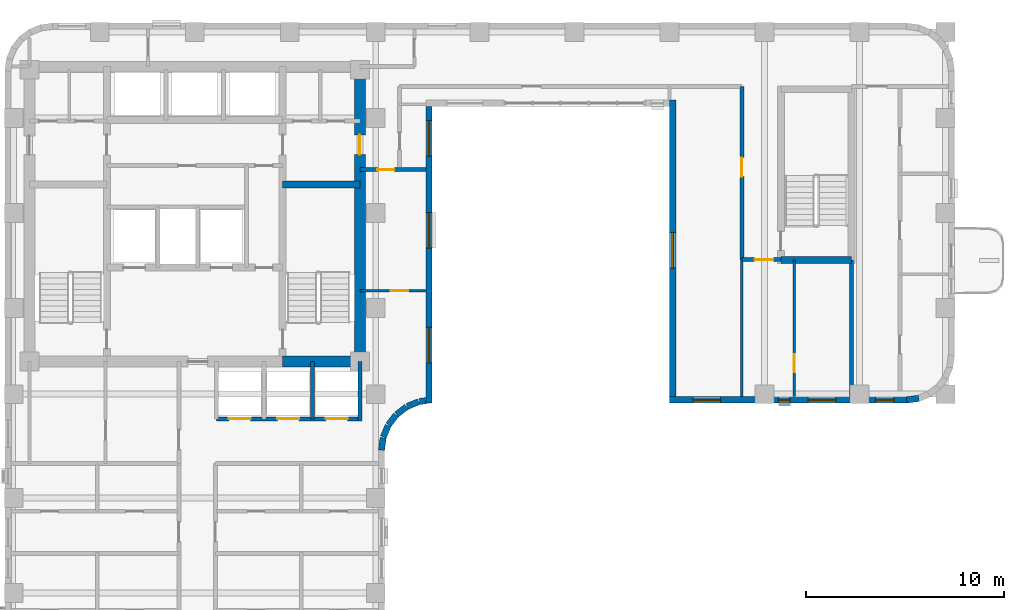
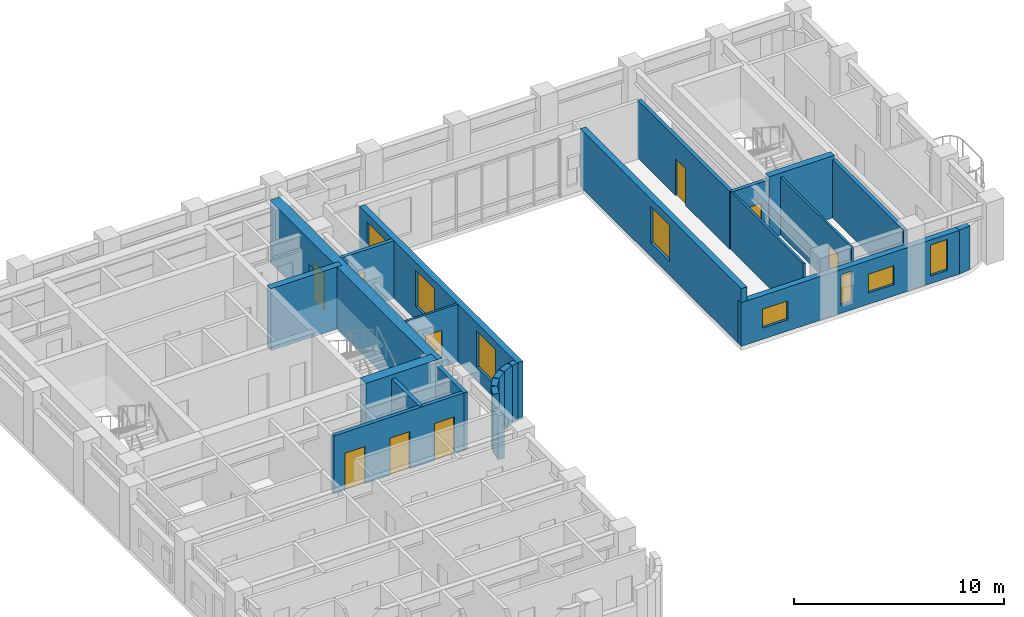
# One storey, part 6 of 11: 24 walls, 9 doors, 8 windows, 17 openings.
"""IFC4 building model written with IfcOpenShell, lengths in metres."""

from ifc_helpers import new_model, si_unit, direction, frame, frame_2d, origin, place, context, subcontext, project, spatial, rectangle, extrude, material, layer, layer_set, type_object, element, fill, save


model = new_model("IFC4")

# Units and contexts
model_context = context("Model", 3, precision=1e-05, world=origin(), true_north=direction((0.0, 1.0)))
body_context = subcontext(model_context, "Body", "Model", "MODEL_VIEW")
ifc_project = project(units=[si_unit("LENGTHUNIT", "METRE"), si_unit("AREAUNIT", "SQUARE_METRE"), si_unit("VOLUMEUNIT", "CUBIC_METRE"), si_unit("PLANEANGLEUNIT", "RADIAN"), si_unit("MASSUNIT", "GRAM", prefix="KILO")], contexts=[model_context])

# Site, building, storey
site_placement = place(None, origin())
site = spatial("IfcSite", under=ifc_project, at=site_placement, CompositionType="ELEMENT")
building_placement = place(site_placement, origin())
building = spatial("IfcBuilding", under=site, at=building_placement, Name="Orvandelia Arch Residences", CompositionType="ELEMENT")
storey_placement = place(building_placement, frame((0.0, 0.0, 168.39990234375)))
storey = spatial("IfcBuildingStorey", under=building, at=storey_placement, Name="L44", CompositionType="ELEMENT", Elevation=168.39990234375)

# Walls
ifc_material_1 = material(Name="Concrete C50/60", Category="concrete")
ifc_layer_1 = layer(ifc_material_1, 0.35009765625, Name="Concrete C50/60", Category="concrete")
ifc_layer_set_1 = layer_set([ifc_layer_1], Name="Concrete C50/60")
wall_type_1 = type_object("IfcWallType", Name="WL-CORE-350", PredefinedType="SHEAR", material=ifc_layer_set_1)
wall_1_placement = place(storey_placement, frame((18.840087890625, 39.85009765625, 0.0), z_axis=(0.0, 0.0, 1.0), x_axis=(1.0, 0.0, 0.0)))
element("IfcWall", 1, at=wall_1_placement, inside=storey, type_object=wall_type_1, Name="Core Shear Wall L44-HZ2", PredefinedType="SHEAR", context=body_context, shape_type="SweptSolid", body=[
    extrude(rectangle(XDim=3.909912109375, YDim=0.35009765625, at=frame_2d((1.955078125, 0.0))), origin(), (0.0, 0.0, 1.0), 3.60009765625),
])
wall_2_placement = place(storey_placement, frame((44.02001953125, 36.0400390625, 0.0), z_axis=(0.0, 0.0, 1.0), x_axis=(1.0, 0.0, 0.0)))
element("IfcWall", 2, at=wall_2_placement, inside=storey, type_object=wall_type_1, Name="East Stair Core Shear Wall L44-S", PredefinedType="SHEAR", context=body_context, shape_type="SweptSolid", body=[
    extrude(rectangle(XDim=3.580078125, YDim=0.35009765625, at=frame_2d((1.7900390625, 0.0))), origin(), (0.0, 0.0, 1.0), 3.60009765625),
])

# Wall, opening, door
ifc_material_2 = material(Name="Concrete C60/75", Category="concrete")
ifc_layer_2 = layer(ifc_material_2, 0.550048828125, Name="Concrete C60/75", Category="concrete")
ifc_layer_set_2 = layer_set([ifc_layer_2], Name="Concrete C60/75")
wall_type_2 = type_object("IfcWallType", Name="WL-CORE-550", PredefinedType="SHEAR", material=ifc_layer_set_2)
wall_3_placement = place(storey_placement, frame((22.75, 30.625, 0.0), z_axis=(0.0, 0.0, 1.0), x_axis=(0.0, 1.0, 0.0)))
wall_3 = element("IfcWall", 3, at=wall_3_placement, inside=storey, type_object=wall_type_2, Name="Core Shear Wall L44-E", PredefinedType="SHEAR", context=body_context, shape_type="SweptSolid", body=[
    extrude(rectangle(XDim=15.449951171875, YDim=0.550048828125, at=frame_2d((7.72509765625, 0.0))), origin(), (0.0, 0.0, 1.0), 3.60009765625),
])
opening_1_placement = place(wall_3_placement, frame((10.72509765625, 0.0, 0.0)))
opening_1 = element("IfcOpeningElement", 4, at=opening_1_placement, cuts=wall_3, Name="Opening D6", PredefinedType="OPENING", context=body_context, shape_type="SweptSolid", body=[
    extrude(rectangle(XDim=1.0, YDim=2.14990234375, at=frame_2d((0.5, 1.074951171875))), frame((0.0, 0.28515625, 0.0), z_axis=(0.0, -1.0, 0.0), x_axis=(1.0, 0.0, 0.0)), (0.0, 0.0, 1.0), 0.570068359375),
])
ifc_material_3 = material(Name="Smokeproof Painted Steel Fire Door", Category="steel")
door_type_1 = type_object("IfcDoorType", Name="DR-FD60-1000", OperationType="NOTDEFINED", PredefinedType="DOOR", material=ifc_material_3)
door_1_placement = place(opening_1_placement, origin())
door_1 = element("IfcDoor", 5, at=door_1_placement, inside=storey, type_object=door_type_1, Name="Core East Corridor Link Door L44", OperationType="SINGLE_SWING_LEFT", OverallHeight=2.14990234375, OverallWidth=1.0, PredefinedType="DOOR", context=body_context, shape_type="SweptSolid", body=[
    extrude(rectangle(XDim=1.0, YDim=2.14990234375, at=frame_2d((0.5, 1.074951171875))), frame((0.0, 0.02490234375, 0.0), z_axis=(0.0, -1.0, 0.0), x_axis=(1.0, 0.0, 0.0)), (0.0, 0.0, 1.0), 0.050048828125),
])
fill(opening_1, door_1)

# Wall
wall_4_placement = place(storey_placement, frame((18.840087890625, 30.89990234375, 0.0), z_axis=(0.0, 0.0, 1.0), x_axis=(1.0, 0.0, 0.0)))
element("IfcWall", 6, at=wall_4_placement, inside=storey, type_object=wall_type_2, Name="Core Shear Wall L44-SE", PredefinedType="SHEAR", context=body_context, shape_type="SweptSolid", body=[
    extrude(rectangle(XDim=3.909912109375, YDim=0.550048828125, at=frame_2d((1.955078125, 0.0))), origin(), (0.0, 0.0, 1.0), 3.60009765625),
])

# Wall, opening, door
ifc_material_4 = material(Name="Fire-Rated Corridor Partition")
ifc_layer_3 = layer(ifc_material_4, 0.199951171875, Name="Fire-Rated Corridor Partition")
ifc_layer_set_3 = layer_set([ifc_layer_3], Name="Fire-Rated Corridor Partition")
wall_type_3 = type_object("IfcWallType", Name="WL-CORR-200", PredefinedType="PARTITIONING", material=ifc_layer_set_3)
wall_5_placement = place(storey_placement, frame((22.75, 40.60009765625, 0.0), z_axis=(0.0, 0.0, 1.0), x_axis=(1.0, 0.0, 0.0)))
wall_5 = element("IfcWall", 7, at=wall_5_placement, inside=storey, type_object=wall_type_3, Name="Interior Partition Wall WL-L44-ENP-LS", PredefinedType="PARTITIONING", context=body_context, shape_type="SweptSolid", body=[
    extrude(rectangle(XDim=3.330078125, YDim=0.199951171875, at=frame_2d((1.6650390625, 0.0))), origin(), (0.0, 0.0, 1.0), 3.360107421875),
])
opening_2_placement = place(wall_5_placement, frame((0.8798828125, 0.0, 0.0)))
opening_2 = element("IfcOpeningElement", 8, at=opening_2_placement, cuts=wall_5, Name="Opening D4", PredefinedType="OPENING", context=body_context, shape_type="SweptSolid", body=[
    extrude(rectangle(XDim=0.860107421875, YDim=2.10009765625, at=frame_2d((0.43017578125, 1.050048828125))), frame((0.0, 0.10986328125, 0.0), z_axis=(0.0, -1.0, 0.0), x_axis=(1.0, 0.0, 0.0)), (0.0, 0.0, 1.0), 0.219970703125),
])
ifc_material_5 = material(Name="Moisture-Sealed Timber Bathroom Door", Category="wood")
door_type_2 = type_object("IfcDoorType", Name="DR-WET-900", OperationType="NOTDEFINED", PredefinedType="DOOR", material=ifc_material_5)
door_2_placement = place(opening_2_placement, origin())
door_2 = element("IfcDoor", 9, at=door_2_placement, inside=storey, type_object=door_type_2, Name="DR-L44-VPWL2", OperationType="SINGLE_SWING_RIGHT", OverallHeight=2.10009765625, OverallWidth=0.860107421875, PredefinedType="DOOR", context=body_context, shape_type="SweptSolid", body=[
    extrude(rectangle(XDim=0.860107421875, YDim=2.10009765625, at=frame_2d((0.43017578125, 1.050048828125))), frame((0.0, 0.02490234375, 0.0), z_axis=(0.0, -1.0, 0.0), x_axis=(1.0, 0.0, 0.0)), (0.0, 0.0, 1.0), 0.050048828125),
])
fill(opening_2, door_2)

wall_6_placement = place(storey_placement, frame((42.050048828125, 36.050048828125, 0.0), z_axis=(0.0, 0.0, 1.0), x_axis=(0.0, 1.0, 0.0)))
wall_6 = element("IfcWall", 10, at=wall_6_placement, inside=storey, type_object=wall_type_3, Name="Interior Partition Wall WL-L44-ENP-SW", PredefinedType="PARTITIONING", context=body_context, shape_type="SweptSolid", body=[
    extrude(rectangle(XDim=8.75, YDim=0.199951171875, at=frame_2d((4.375, 0.0))), origin(), (0.0, 0.0, 1.0), 3.360107421875),
])
opening_3_placement = place(wall_6_placement, frame((4.199951171875, 0.0, 0.0)))
opening_3 = element("IfcOpeningElement", 11, at=opening_3_placement, cuts=wall_6, Name="Opening D2", PredefinedType="OPENING", context=body_context, shape_type="SweptSolid", body=[
    extrude(rectangle(XDim=0.949951171875, YDim=2.14990234375, at=frame_2d((0.47509765625, 1.074951171875))), frame((0.0, 0.10986328125, 0.0), z_axis=(0.0, -1.0, 0.0), x_axis=(1.0, 0.0, 0.0)), (0.0, 0.0, 1.0), 0.219970703125),
])
ifc_material_6 = material(Name="Solid-Core Timber Interior Fire Door", Category="wood")
door_type_3 = type_object("IfcDoorType", Name="DR-APT-950", OperationType="NOTDEFINED", PredefinedType="DOOR", material=ifc_material_6)
door_3_placement = place(opening_3_placement, origin())
door_3 = element("IfcDoor", 12, at=door_3_placement, inside=storey, type_object=door_type_3, Name="DR-L44-VPE1", OperationType="SINGLE_SWING_LEFT", OverallHeight=2.14990234375, OverallWidth=0.949951171875, PredefinedType="DOOR", context=body_context, shape_type="SweptSolid", body=[
    extrude(rectangle(XDim=0.949951171875, YDim=2.14990234375, at=frame_2d((0.47509765625, 1.074951171875))), frame((0.0, 0.02490234375, 0.0), z_axis=(0.0, -1.0, 0.0), x_axis=(1.0, 0.0, 0.0)), (0.0, 0.0, 1.0), 0.050048828125),
])
fill(opening_3, door_3)

wall_7_placement = place(storey_placement, frame((42.050048828125, 36.050048828125, 0.0), z_axis=(0.0, 0.0, 1.0), x_axis=(1.0, 0.0, 0.0)))
wall_7 = element("IfcWall", 13, at=wall_7_placement, inside=storey, type_object=wall_type_3, Name="Interior Partition Wall WL-L44-ENP-SS", PredefinedType="PARTITIONING", context=body_context, shape_type="SweptSolid", body=[
    extrude(rectangle(XDim=1.969970703125, YDim=0.199951171875, at=frame_2d((0.98486328125, 0.0))), origin(), (0.0, 0.0, 1.0), 3.360107421875),
])
opening_4_placement = place(wall_7_placement, frame((0.64990234375, 0.0, 0.0)))
opening_4 = element("IfcOpeningElement", 14, at=opening_4_placement, cuts=wall_7, Name="Opening D2", PredefinedType="OPENING", context=body_context, shape_type="SweptSolid", body=[
    extrude(rectangle(XDim=0.949951171875, YDim=2.14990234375, at=frame_2d((0.47509765625, 1.074951171875))), frame((0.0, 0.10986328125, 0.0), z_axis=(0.0, -1.0, 0.0), x_axis=(1.0, 0.0, 0.0)), (0.0, 0.0, 1.0), 0.219970703125),
])
door_4_placement = place(opening_4_placement, origin())
door_4 = element("IfcDoor", 15, at=door_4_placement, inside=storey, type_object=door_type_3, Name="DR-L44-VPS3A", OperationType="SINGLE_SWING_LEFT", OverallHeight=2.14990234375, OverallWidth=0.949951171875, PredefinedType="DOOR", context=body_context, shape_type="SweptSolid", body=[
    extrude(rectangle(XDim=0.949951171875, YDim=2.14990234375, at=frame_2d((0.47509765625, 1.074951171875))), frame((0.0, 0.02490234375, 0.0), z_axis=(0.0, -1.0, 0.0), x_axis=(1.0, 0.0, 0.0)), (0.0, 0.0, 1.0), 0.050048828125),
])
fill(opening_4, door_4)

# Walls
ifc_material_7 = material(Name="Concrete C40/50", Category="concrete")
ifc_layer_4 = layer(ifc_material_7, 0.199951171875, Name="Concrete C40/50", Category="concrete")
ifc_layer_set_4 = layer_set([ifc_layer_4], Name="Concrete C40/50")
wall_type_4 = type_object("IfcWallType", Name="WL-DEM-200", PredefinedType="SOLIDWALL", material=ifc_layer_set_4)
wall_8_placement = place(storey_placement, frame((47.60009765625, 29.1201171875, 0.0), z_axis=(0.0, 0.0, 1.0), x_axis=(0.0, 1.0, 0.0)))
element("IfcWall", 16, at=wall_8_placement, inside=storey, type_object=wall_type_4, Name="Interior Partition Wall WL-L44-VPS3-E", PredefinedType="SOLIDWALL", context=body_context, shape_type="SweptSolid", body=[
    extrude(rectangle(XDim=6.919921875, YDim=0.199951171875, at=frame_2d((3.4599609375, 0.0))), origin(), (0.0, 0.0, 1.0), 3.360107421875),
])
ifc_material_8 = material(Name="Precast concrete C40/50", Category="concrete")
ifc_layer_5 = layer(ifc_material_8, 0.320068359375, Name="Precast concrete C40/50", Category="concrete")
ifc_layer_set_5 = layer_set([ifc_layer_5], Name="Precast concrete C40/50")
wall_type_5 = type_object("IfcWallType", Name="WL-EXT-STONE-320", PredefinedType="STANDARD", material=ifc_layer_set_5)
wall_9_placement = place(storey_placement, frame((51.000244140625, 29.040283203125, 0.0), z_axis=(0.0, 0.0, 1.0), x_axis=(-0.9914410257, -0.130555323746, 0.0)))
element("IfcWall", 17, at=wall_9_placement, inside=storey, type_object=wall_type_5, Name="Coral-Limestone Precast Facade Wall L44-020", PredefinedType="STANDARD", context=body_context, shape_type="SweptSolid", body=[
    extrude(rectangle(XDim=0.62646484375, YDim=0.320068359375, at=frame_2d((0.313232421875, 0.0))), origin(), (0.0, 0.0, 1.0), 2.5400390625),
])

# Wall, openings, windows
wall_10_placement = place(storey_placement, frame((50.39990234375, 28.9599609375, 0.0), z_axis=(0.0, 0.0, 1.0), x_axis=(-1.0, 0.0, 0.0)))
wall_10 = element("IfcWall", 18, at=wall_10_placement, inside=storey, type_object=wall_type_5, Name="Coral-Limestone Precast Facade Wall L44-021", PredefinedType="STANDARD", context=body_context, shape_type="SweptSolid", body=[
    extrude(rectangle(XDim=12.0, YDim=0.320068359375, at=frame_2d((6.0, 0.0))), origin(), (0.0, 0.0, 1.0), 2.5400390625),
])
opening_5_placement = place(wall_10_placement, frame((0.656005859375, 0.0, 0.449951171875)))
opening_5 = element("IfcOpeningElement", 19, at=opening_5_placement, cuts=wall_10, Name="Opening W4", PredefinedType="OPENING", context=body_context, shape_type="SweptSolid", body=[
    extrude(rectangle(XDim=0.949951171875, YDim=1.800048828125, at=frame_2d((0.47509765625, 0.89990234375))), frame((0.0, 0.169921875, 0.0), z_axis=(0.0, -1.0, 0.0), x_axis=(1.0, 0.0, 0.0)), (0.0, 0.0, 1.0), 0.340087890625),
])
opening_6_placement = place(wall_10_placement, frame((9.425048828125, 0.0, 0.64990234375)))
opening_6 = element("IfcOpeningElement", 20, at=opening_6_placement, cuts=wall_10, Name="Opening W10", PredefinedType="OPENING", context=body_context, shape_type="SweptSolid", body=[
    extrude(rectangle(XDim=1.39990234375, YDim=1.10009765625, at=frame_2d((0.699951171875, 0.550048828125))), frame((0.0, 0.169921875, 0.0), z_axis=(0.0, -1.0, 0.0), x_axis=(1.0, 0.0, 0.0)), (0.0, 0.0, 1.0), 0.340087890625),
])
opening_7_placement = place(wall_10_placement, frame((5.902587890625, 0.0, 0.449951171875)))
opening_7 = element("IfcOpeningElement", 21, at=opening_7_placement, cuts=wall_10, Name="Opening W12", PredefinedType="OPENING", context=body_context, shape_type="SweptSolid", body=[
    extrude(rectangle(XDim=0.60009765625, YDim=1.800048828125, at=frame_2d((0.300048828125, 0.89990234375))), frame((0.0, 0.169921875, 0.0), z_axis=(0.0, -1.0, 0.0), x_axis=(1.0, 0.0, 0.0)), (0.0, 0.0, 1.0), 0.340087890625),
])
opening_8_placement = place(wall_10_placement, frame((3.597412109375, 0.0, 0.64990234375)))
opening_8 = element("IfcOpeningElement", 22, at=opening_8_placement, cuts=wall_10, Name="Opening W10", PredefinedType="OPENING", context=body_context, shape_type="SweptSolid", body=[
    extrude(rectangle(XDim=1.39990234375, YDim=1.10009765625, at=frame_2d((0.699951171875, 0.550048828125))), frame((0.0, 0.169921875, 0.0), z_axis=(0.0, -1.0, 0.0), x_axis=(1.0, 0.0, 0.0)), (0.0, 0.0, 1.0), 0.340087890625),
])
ifc_material_9 = material(Name="Tempered Low-E Insulated Glazing", Category="glass")
window_type_1 = type_object("IfcWindowType", Name="WIN-CLR-1400x1100", PartitioningType="SINGLE_PANEL", PredefinedType="WINDOW", material=ifc_material_9)
window_1_placement = place(opening_6_placement, origin())
window_1 = element("IfcWindow", 23, at=window_1_placement, inside=storey, type_object=window_type_1, Name="Recessed Punched Window L44-008", OverallHeight=1.10009765625, OverallWidth=1.39990234375, PartitioningType="SINGLE_PANEL", PredefinedType="WINDOW", context=body_context, shape_type="SweptSolid", body=[
    extrude(rectangle(XDim=1.39990234375, YDim=1.10009765625, at=frame_2d((0.699951171875, 0.550048828125))), frame((0.0, 0.030029296875, 0.0), z_axis=(0.0, -1.0, 0.0), x_axis=(1.0, 0.0, 0.0)), (0.0, 0.0, 1.0), 0.06005859375),
])
fill(opening_6, window_1)
window_2_placement = place(opening_8_placement, origin())
window_2 = element("IfcWindow", 24, at=window_2_placement, inside=storey, type_object=window_type_1, Name="Recessed Punched Window L44-010", OverallHeight=1.10009765625, OverallWidth=1.39990234375, PartitioningType="SINGLE_PANEL", PredefinedType="WINDOW", context=body_context, shape_type="SweptSolid", body=[
    extrude(rectangle(XDim=1.39990234375, YDim=1.10009765625, at=frame_2d((0.699951171875, 0.550048828125))), frame((0.0, 0.030029296875, 0.0), z_axis=(0.0, -1.0, 0.0), x_axis=(1.0, 0.0, 0.0)), (0.0, 0.0, 1.0), 0.06005859375),
])
fill(opening_8, window_2)
window_type_2 = type_object("IfcWindowType", Name="WIN-LAN-0600x1800", PartitioningType="SINGLE_PANEL", PredefinedType="WINDOW", material=ifc_material_9)
window_3_placement = place(opening_7_placement, origin())
window_3 = element("IfcWindow", 25, at=window_3_placement, inside=storey, type_object=window_type_2, Name="Recessed Punched Window L44-009", OverallHeight=1.800048828125, OverallWidth=0.60009765625, PartitioningType="SINGLE_PANEL", PredefinedType="WINDOW", context=body_context, shape_type="SweptSolid", body=[
    extrude(rectangle(XDim=0.60009765625, YDim=1.800048828125, at=frame_2d((0.300048828125, 0.89990234375))), frame((0.0, 0.030029296875, 0.0), z_axis=(0.0, -1.0, 0.0), x_axis=(1.0, 0.0, 0.0)), (0.0, 0.0, 1.0), 0.06005859375),
])
fill(opening_7, window_3)
window_type_3 = type_object("IfcWindowType", Name="WIN-RES-0950x1800", PartitioningType="SINGLE_PANEL", PredefinedType="WINDOW", material=ifc_material_9)
window_4_placement = place(opening_5_placement, origin())
window_4 = element("IfcWindow", 26, at=window_4_placement, inside=storey, type_object=window_type_3, Name="Recessed Punched Window L44-007", OverallHeight=1.800048828125, OverallWidth=0.949951171875, PartitioningType="SINGLE_PANEL", PredefinedType="WINDOW", context=body_context, shape_type="SweptSolid", body=[
    extrude(rectangle(XDim=0.949951171875, YDim=1.800048828125, at=frame_2d((0.47509765625, 0.89990234375))), frame((0.0, 0.030029296875, 0.0), z_axis=(0.0, -1.0, 0.0), x_axis=(1.0, 0.0, 0.0)), (0.0, 0.0, 1.0), 0.06005859375),
])
fill(opening_5, window_4)

# Wall, opening, window
wall_11_placement = place(storey_placement, frame((38.56005859375, 28.800048828125, 0.0), z_axis=(0.0, 0.0, 1.0), x_axis=(0.0, 1.0, 0.0)))
wall_11 = element("IfcWall", 27, at=wall_11_placement, inside=storey, type_object=wall_type_5, Name="Coral-Limestone Precast Facade Wall L44-022", PredefinedType="STANDARD", context=body_context, shape_type="SweptSolid", body=[
    extrude(rectangle(XDim=15.320068359375, YDim=0.320068359375, at=frame_2d((7.66015625, 0.0))), origin(), (0.0, 0.0, 1.0), 3.360107421875),
])
opening_9_placement = place(wall_11_placement, frame((6.820068359375, 0.0, 0.800048828125)))
opening_9 = element("IfcOpeningElement", 28, at=opening_9_placement, cuts=wall_11, Name="Opening W1", PredefinedType="OPENING", context=body_context, shape_type="SweptSolid", body=[
    extrude(rectangle(XDim=1.800048828125, YDim=2.10009765625, at=frame_2d((0.89990234375, 1.050048828125))), frame((0.0, 0.169921875, 0.0), z_axis=(0.0, -1.0, 0.0), x_axis=(1.0, 0.0, 0.0)), (0.0, 0.0, 1.0), 0.340087890625),
])
window_type_4 = type_object("IfcWindowType", Name="WIN-RES-1800x2100", PartitioningType="SINGLE_PANEL", PredefinedType="WINDOW", material=ifc_material_9)
window_5_placement = place(opening_9_placement, origin())
window_5 = element("IfcWindow", 29, at=window_5_placement, inside=storey, type_object=window_type_4, Name="Recessed Punched Window L44-011", OverallHeight=2.10009765625, OverallWidth=1.800048828125, PartitioningType="SINGLE_PANEL", PredefinedType="WINDOW", context=body_context, shape_type="SweptSolid", body=[
    extrude(rectangle(XDim=1.800048828125, YDim=2.10009765625, at=frame_2d((0.89990234375, 1.050048828125))), frame((0.0, 0.030029296875, 0.0), z_axis=(0.0, -1.0, 0.0), x_axis=(1.0, 0.0, 0.0)), (0.0, 0.0, 1.0), 0.06005859375),
])
fill(opening_9, window_5)

# Wall, openings, windows
wall_12_placement = place(storey_placement, frame((26.239990234375, 43.800048828125, 0.0), z_axis=(0.0, 0.0, 1.0), x_axis=(0.0, -1.0, 0.0)))
wall_12 = element("IfcWall", 30, at=wall_12_placement, inside=storey, type_object=wall_type_5, Name="Coral-Limestone Precast Facade Wall L44-025", PredefinedType="STANDARD", context=body_context, shape_type="SweptSolid", body=[
    extrude(rectangle(XDim=15.0, YDim=0.320068359375, at=frame_2d((7.5, 0.0))), origin(), (0.0, 0.0, 1.0), 3.360107421875),
])
opening_10_placement = place(wall_12_placement, frame((11.169921875, 0.0, 0.800048828125)))
opening_10 = element("IfcOpeningElement", 31, at=opening_10_placement, cuts=wall_12, Name="Opening W1", PredefinedType="OPENING", context=body_context, shape_type="SweptSolid", body=[
    extrude(rectangle(XDim=1.800048828125, YDim=2.10009765625, at=frame_2d((0.89990234375, 1.050048828125))), frame((0.0, 0.169921875, 0.0), z_axis=(0.0, -1.0, 0.0), x_axis=(1.0, 0.0, 0.0)), (0.0, 0.0, 1.0), 0.340087890625),
])
opening_11_placement = place(wall_12_placement, frame((5.3701171875, 0.0, 0.800048828125)))
opening_11 = element("IfcOpeningElement", 32, at=opening_11_placement, cuts=wall_12, Name="Opening W1", PredefinedType="OPENING", context=body_context, shape_type="SweptSolid", body=[
    extrude(rectangle(XDim=1.800048828125, YDim=2.10009765625, at=frame_2d((0.89990234375, 1.050048828125))), frame((0.0, 0.169921875, 0.0), z_axis=(0.0, -1.0, 0.0), x_axis=(1.0, 0.0, 0.0)), (0.0, 0.0, 1.0), 0.340087890625),
])
opening_12_placement = place(wall_12_placement, frame((0.719970703125, 0.0, 0.800048828125)))
opening_12 = element("IfcOpeningElement", 33, at=opening_12_placement, cuts=wall_12, Name="Opening W1", PredefinedType="OPENING", context=body_context, shape_type="SweptSolid", body=[
    extrude(rectangle(XDim=1.800048828125, YDim=2.10009765625, at=frame_2d((0.89990234375, 1.050048828125))), frame((0.0, 0.169921875, 0.0), z_axis=(0.0, -1.0, 0.0), x_axis=(1.0, 0.0, 0.0)), (0.0, 0.0, 1.0), 0.340087890625),
])
window_6_placement = place(opening_10_placement, origin())
window_6 = element("IfcWindow", 34, at=window_6_placement, inside=storey, type_object=window_type_4, Name="Recessed Punched Window L44-014", OverallHeight=2.10009765625, OverallWidth=1.800048828125, PartitioningType="SINGLE_PANEL", PredefinedType="WINDOW", context=body_context, shape_type="SweptSolid", body=[
    extrude(rectangle(XDim=1.800048828125, YDim=2.10009765625, at=frame_2d((0.89990234375, 1.050048828125))), frame((0.0, 0.030029296875, 0.0), z_axis=(0.0, -1.0, 0.0), x_axis=(1.0, 0.0, 0.0)), (0.0, 0.0, 1.0), 0.06005859375),
])
fill(opening_10, window_6)
window_7_placement = place(opening_11_placement, origin())
window_7 = element("IfcWindow", 35, at=window_7_placement, inside=storey, type_object=window_type_4, Name="Recessed Punched Window L44-015", OverallHeight=2.10009765625, OverallWidth=1.800048828125, PartitioningType="SINGLE_PANEL", PredefinedType="WINDOW", context=body_context, shape_type="SweptSolid", body=[
    extrude(rectangle(XDim=1.800048828125, YDim=2.10009765625, at=frame_2d((0.89990234375, 1.050048828125))), frame((0.0, 0.030029296875, 0.0), z_axis=(0.0, -1.0, 0.0), x_axis=(1.0, 0.0, 0.0)), (0.0, 0.0, 1.0), 0.06005859375),
])
fill(opening_11, window_7)
window_8_placement = place(opening_12_placement, origin())
window_8 = element("IfcWindow", 36, at=window_8_placement, inside=storey, type_object=window_type_4, Name="Recessed Punched Window L44-016", OverallHeight=2.10009765625, OverallWidth=1.800048828125, PartitioningType="SINGLE_PANEL", PredefinedType="WINDOW", context=body_context, shape_type="SweptSolid", body=[
    extrude(rectangle(XDim=1.800048828125, YDim=2.10009765625, at=frame_2d((0.89990234375, 1.050048828125))), frame((0.0, 0.030029296875, 0.0), z_axis=(0.0, -1.0, 0.0), x_axis=(1.0, 0.0, 0.0)), (0.0, 0.0, 1.0), 0.06005859375),
])
fill(opening_12, window_8)

# Walls
wall_13_placement = place(storey_placement, frame((26.081787109375, 28.91943359375, 0.0), z_axis=(0.0, 0.0, 1.0), x_axis=(-0.991512688813, -0.130009953168, 0.0)))
element("IfcWall", 37, at=wall_13_placement, inside=storey, type_object=wall_type_5, Name="Coral-Limestone Precast Facade Wall L44-026", PredefinedType="STANDARD", context=body_context, shape_type="SweptSolid", body=[
    extrude(rectangle(XDim=0.32666015625, YDim=0.320068359375, at=frame_2d((0.163330078125, 0.0))), origin(), (0.0, 0.0, 1.0), 3.360107421875),
])
wall_14_placement = place(storey_placement, frame((25.717529296875, 28.865966796875, 0.0), z_axis=(0.0, 0.0, 1.0), x_axis=(-0.923836271867, -0.382787856107, 0.0)))
element("IfcWall", 38, at=wall_14_placement, inside=storey, type_object=wall_type_5, Name="Coral-Limestone Precast Facade Wall L44-027", PredefinedType="STANDARD", context=body_context, shape_type="SweptSolid", body=[
    extrude(rectangle(XDim=0.626220703125, YDim=0.320068359375, at=frame_2d((0.31298828125, 0.0))), origin(), (0.0, 0.0, 1.0), 3.360107421875),
])
for number, where, z_axis, x_axis, name in (
    (39, (25.1025390625, 28.60546875, 0.0), (0.0, 0.0, 1.0), (-0.793405610854, -0.608693302629, 0.0), "Coral-Limestone Precast Facade Wall L44-028"),
    (40, (24.575927734375, 28.194580078125, 0.0), (0.0, 0.0, 1.0), (-0.608693302629, -0.793405610854, 0.0), "Coral-Limestone Precast Facade Wall L44-029"),
):
    element("IfcWall", number, at=place(storey_placement, frame(where, z_axis=z_axis, x_axis=x_axis)), inside=storey, type_object=wall_type_5, Name=name, PredefinedType="STANDARD", context=body_context, shape_type="SweptSolid", body=[
        extrude(rectangle(XDim=0.62646484375, YDim=0.320068359375, at=frame_2d((0.313232421875, 0.0))), origin(), (0.0, 0.0, 1.0), 3.360107421875),
    ])
wall_15_placement = place(storey_placement, frame((24.173583984375, 27.6611328125, 0.0), z_axis=(0.0, 0.0, 1.0), x_axis=(-0.382455093999, -0.923974080304, 0.0)))
element("IfcWall", 41, at=wall_15_placement, inside=storey, type_object=wall_type_5, Name="Coral-Limestone Precast Facade Wall L44-030", PredefinedType="STANDARD", context=body_context, shape_type="SweptSolid", body=[
    extrude(rectangle(XDim=0.626220703125, YDim=0.320068359375, at=frame_2d((0.31298828125, 0.0))), origin(), (0.0, 0.0, 1.0), 3.360107421875),
])
wall_16_placement = place(storey_placement, frame((23.923095703125, 27.0419921875, 0.0), z_axis=(0.0, 0.0, 1.0), x_axis=(-0.130555323746, -0.9914410257, 0.0)))
element("IfcWall", 42, at=wall_16_placement, inside=storey, type_object=wall_type_5, Name="Coral-Limestone Precast Facade Wall L44-031", PredefinedType="STANDARD", context=body_context, shape_type="SweptSolid", body=[
    extrude(rectangle(XDim=0.62646484375, YDim=0.320068359375, at=frame_2d((0.313232421875, 0.0))), origin(), (0.0, 0.0, 1.0), 2.5400390625),
])

# Wall, opening, door
ifc_material_10 = material(Name="Lightweight Gypsum Stud Partition")
ifc_layer_6 = layer(ifc_material_10, 0.1201171875, Name="Lightweight Gypsum Stud Partition")
ifc_layer_set_6 = layer_set([ifc_layer_6], Name="Lightweight Gypsum Stud Partition")
wall_type_6 = type_object("IfcWallType", Name="WL-PART-120", PredefinedType="PARTITIONING", material=ifc_layer_set_6)
wall_17_placement = place(storey_placement, frame((22.75, 34.47998046875, 0.0), z_axis=(0.0, 0.0, 1.0), x_axis=(1.0, 0.0, 0.0)))
wall_17 = element("IfcWall", 43, at=wall_17_placement, inside=storey, type_object=wall_type_6, Name="Interior Partition Wall WL-L44-VPW-M", PredefinedType="PARTITIONING", context=body_context, shape_type="SweptSolid", body=[
    extrude(rectangle(XDim=3.330078125, YDim=0.1201171875, at=frame_2d((1.6650390625, 0.0))), origin(), (0.0, 0.0, 1.0), 3.360107421875),
])
opening_13_placement = place(wall_17_placement, frame((1.550048828125, 0.0, 0.0)))
opening_13 = element("IfcOpeningElement", 44, at=opening_13_placement, cuts=wall_17, Name="Opening D3", PredefinedType="OPENING", context=body_context, shape_type="SweptSolid", body=[
    extrude(rectangle(XDim=0.89990234375, YDim=2.14990234375, at=frame_2d((0.449951171875, 1.074951171875))), frame((0.0, 0.070068359375, 0.0), z_axis=(0.0, -1.0, 0.0), x_axis=(1.0, 0.0, 0.0)), (0.0, 0.0, 1.0), 0.14013671875),
])
ifc_material_11 = material(Name="Engineered Timber Flush Door", Category="wood")
door_type_4 = type_object("IfcDoorType", Name="DR-INT-900", OperationType="NOTDEFINED", PredefinedType="DOOR", material=ifc_material_11)
door_5_placement = place(opening_13_placement, origin())
door_5 = element("IfcDoor", 45, at=door_5_placement, inside=storey, type_object=door_type_4, Name="DR-L44-VPWL1", OperationType="SINGLE_SWING_LEFT", OverallHeight=2.14990234375, OverallWidth=0.89990234375, PredefinedType="DOOR", context=body_context, shape_type="SweptSolid", body=[
    extrude(rectangle(XDim=0.89990234375, YDim=2.14990234375, at=frame_2d((0.449951171875, 1.074951171875))), frame((0.0, 0.02490234375, 0.0), z_axis=(0.0, -1.0, 0.0), x_axis=(1.0, 0.0, 0.0)), (0.0, 0.0, 1.0), 0.050048828125),
])
fill(opening_13, door_5)

wall_18_placement = place(storey_placement, frame((44.699951171875, 29.1201171875, 0.0), z_axis=(0.0, 0.0, 1.0), x_axis=(0.0, 1.0, 0.0)))
wall_18 = element("IfcWall", 46, at=wall_18_placement, inside=storey, type_object=wall_type_6, Name="Interior Partition Wall WL-L44-VPS3-M", PredefinedType="PARTITIONING", context=body_context, shape_type="SweptSolid", body=[
    extrude(rectangle(XDim=6.919921875, YDim=0.1201171875, at=frame_2d((3.4599609375, 0.0))), origin(), (0.0, 0.0, 1.0), 3.360107421875),
])
opening_14_placement = place(wall_18_placement, frame((1.239990234375, 0.0, 0.0)))
opening_14 = element("IfcOpeningElement", 47, at=opening_14_placement, cuts=wall_18, Name="Opening D3", PredefinedType="OPENING", context=body_context, shape_type="SweptSolid", body=[
    extrude(rectangle(XDim=0.89990234375, YDim=2.14990234375, at=frame_2d((0.449951171875, 1.074951171875))), frame((0.0, 0.070068359375, 0.0), z_axis=(0.0, -1.0, 0.0), x_axis=(1.0, 0.0, 0.0)), (0.0, 0.0, 1.0), 0.14013671875),
])
door_6_placement = place(opening_14_placement, origin())
door_6 = element("IfcDoor", 48, at=door_6_placement, inside=storey, type_object=door_type_4, Name="DR-L44-VPS3B", OperationType="SINGLE_SWING_RIGHT", OverallHeight=2.14990234375, OverallWidth=0.89990234375, PredefinedType="DOOR", context=body_context, shape_type="SweptSolid", body=[
    extrude(rectangle(XDim=0.89990234375, YDim=2.14990234375, at=frame_2d((0.449951171875, 1.074951171875))), frame((0.0, 0.02490234375, 0.0), z_axis=(0.0, -1.0, 0.0), x_axis=(1.0, 0.0, 0.0)), (0.0, 0.0, 1.0), 0.050048828125),
])
fill(opening_14, door_6)

# Wall
wall_19_placement = place(storey_placement, frame((42.050048828125, 29.1201171875, 0.0), z_axis=(0.0, 0.0, 1.0), x_axis=(0.0, 1.0, 0.0)))
element("IfcWall", 49, at=wall_19_placement, inside=storey, type_object=wall_type_6, Name="Interior Partition Wall WL-L44-VPS3-W", PredefinedType="PARTITIONING", context=body_context, shape_type="SweptSolid", body=[
    extrude(rectangle(XDim=6.929931640625, YDim=0.1201171875, at=frame_2d((3.46484375, 0.0))), origin(), (0.0, 0.0, 1.0), 3.360107421875),
])

# Wall, openings, doors
ifc_material_12 = material(Name="Fire-Rated Shaft Enclosure Wall")
ifc_layer_7 = layer(ifc_material_12, 0.199951171875, Name="Fire-Rated Shaft Enclosure Wall")
ifc_layer_set_7 = layer_set([ifc_layer_7], Name="Fire-Rated Shaft Enclosure Wall")
wall_type_7 = type_object("IfcWallType", Name="WL-SHAFT-200", PredefinedType="POLYGONAL", material=ifc_layer_set_7)
wall_20_placement = place(storey_placement, frame((15.5, 28.0, 0.0), z_axis=(0.0, 0.0, 1.0), x_axis=(1.0, 0.0, 0.0)))
wall_20 = element("IfcWall", 50, at=wall_20_placement, inside=storey, type_object=wall_type_7, Name="Interior Partition Wall WL-L44-BNKM-S", PredefinedType="POLYGONAL", context=body_context, shape_type="SweptSolid", body=[
    extrude(rectangle(XDim=7.25, YDim=0.199951171875, at=frame_2d((3.625, 0.0))), origin(), (0.0, 0.0, 1.0), 3.360107421875),
])
opening_15_placement = place(wall_20_placement, frame((0.625, 0.0, 0.0)))
opening_15 = element("IfcOpeningElement", 51, at=opening_15_placement, cuts=wall_20, Name="Opening LD", PredefinedType="OPENING", context=body_context, shape_type="SweptSolid", body=[
    extrude(rectangle(XDim=1.10009765625, YDim=2.14990234375, at=frame_2d((0.550048828125, 1.074951171875))), frame((0.0, 0.10986328125, 0.0), z_axis=(0.0, -1.0, 0.0), x_axis=(1.0, 0.0, 0.0)), (0.0, 0.0, 1.0), 0.219970703125),
])
opening_16_placement = place(wall_20_placement, frame((3.074951171875, 0.0, 0.0)))
opening_16 = element("IfcOpeningElement", 52, at=opening_16_placement, cuts=wall_20, Name="Opening LD", PredefinedType="OPENING", context=body_context, shape_type="SweptSolid", body=[
    extrude(rectangle(XDim=1.10009765625, YDim=2.14990234375, at=frame_2d((0.550048828125, 1.074951171875))), frame((0.0, 0.10986328125, 0.0), z_axis=(0.0, -1.0, 0.0), x_axis=(1.0, 0.0, 0.0)), (0.0, 0.0, 1.0), 0.219970703125),
])
opening_17_placement = place(wall_20_placement, frame((5.52490234375, 0.0, 0.0)))
opening_17 = element("IfcOpeningElement", 53, at=opening_17_placement, cuts=wall_20, Name="Opening LD", PredefinedType="OPENING", context=body_context, shape_type="SweptSolid", body=[
    extrude(rectangle(XDim=1.10009765625, YDim=2.14990234375, at=frame_2d((0.550048828125, 1.074951171875))), frame((0.0, 0.10986328125, 0.0), z_axis=(0.0, -1.0, 0.0), x_axis=(1.0, 0.0, 0.0)), (0.0, 0.0, 1.0), 0.219970703125),
])
ifc_material_13 = material(Name="Brushed Stainless Steel Sliding Lift Door", Category="steel")
door_type_5 = type_object("IfcDoorType", Name="DR-LIFT-1100", OperationType="NOTDEFINED", PredefinedType="DOOR", material=ifc_material_13)
door_7_placement = place(opening_15_placement, origin())
door_7 = element("IfcDoor", 54, at=door_7_placement, inside=storey, type_object=door_type_5, Name="Lift Landing Door LD-PM1", OperationType="SLIDING_TO_LEFT", OverallHeight=2.14990234375, OverallWidth=1.10009765625, PredefinedType="DOOR", context=body_context, shape_type="SweptSolid", body=[
    extrude(rectangle(XDim=1.10009765625, YDim=2.14990234375, at=frame_2d((0.550048828125, 1.074951171875))), frame((0.0, 0.02490234375, 0.0), z_axis=(0.0, -1.0, 0.0), x_axis=(1.0, 0.0, 0.0)), (0.0, 0.0, 1.0), 0.050048828125),
])
fill(opening_15, door_7)
door_8_placement = place(opening_16_placement, origin())
door_8 = element("IfcDoor", 55, at=door_8_placement, inside=storey, type_object=door_type_5, Name="Lift Landing Door LD-PM2", OperationType="SLIDING_TO_RIGHT", OverallHeight=2.14990234375, OverallWidth=1.10009765625, PredefinedType="DOOR", context=body_context, shape_type="SweptSolid", body=[
    extrude(rectangle(XDim=1.10009765625, YDim=2.14990234375, at=frame_2d((0.550048828125, 1.074951171875))), frame((0.0, 0.02490234375, 0.0), z_axis=(0.0, -1.0, 0.0), x_axis=(1.0, 0.0, 0.0)), (0.0, 0.0, 1.0), 0.050048828125),
])
fill(opening_16, door_8)
door_9_placement = place(opening_17_placement, origin())
door_9 = element("IfcDoor", 56, at=door_9_placement, inside=storey, type_object=door_type_5, Name="Lift Landing Door LD-PM3", OperationType="SLIDING_TO_LEFT", OverallHeight=2.14990234375, OverallWidth=1.10009765625, PredefinedType="DOOR", context=body_context, shape_type="SweptSolid", body=[
    extrude(rectangle(XDim=1.10009765625, YDim=2.14990234375, at=frame_2d((0.550048828125, 1.074951171875))), frame((0.0, 0.02490234375, 0.0), z_axis=(0.0, -1.0, 0.0), x_axis=(1.0, 0.0, 0.0)), (0.0, 0.0, 1.0), 0.050048828125),
])
fill(opening_17, door_9)

# Walls
wall_21_placement = place(storey_placement, frame((22.75, 27.89990234375, 0.0), z_axis=(0.0, 0.0, 1.0), x_axis=(0.0, 1.0, 0.0)))
element("IfcWall", 57, at=wall_21_placement, inside=storey, type_object=wall_type_7, Name="Interior Partition Wall WL-L44-BNKM-E", PredefinedType="POLYGONAL", context=body_context, shape_type="SweptSolid", body=[
    extrude(rectangle(XDim=3.0, YDim=0.199951171875, at=frame_2d((1.5, 0.0))), origin(), (0.0, 0.0, 1.0), 3.360107421875),
])
wall_22_placement = place(storey_placement, frame((20.35009765625, 28.0, 0.0), z_axis=(0.0, 0.0, 1.0), x_axis=(0.0, 1.0, 0.0)))
element("IfcWall", 58, at=wall_22_placement, inside=storey, type_object=wall_type_7, Name="Interior Partition Wall WL-L44-BNKMD-2035", PredefinedType="POLYGONAL", context=body_context, shape_type="SweptSolid", body=[
    extrude(rectangle(XDim=2.89990234375, YDim=0.199951171875, at=frame_2d((1.449951171875, 0.0))), origin(), (0.0, 0.0, 1.0), 3.360107421875),
])

save(model, "model.ifc")
